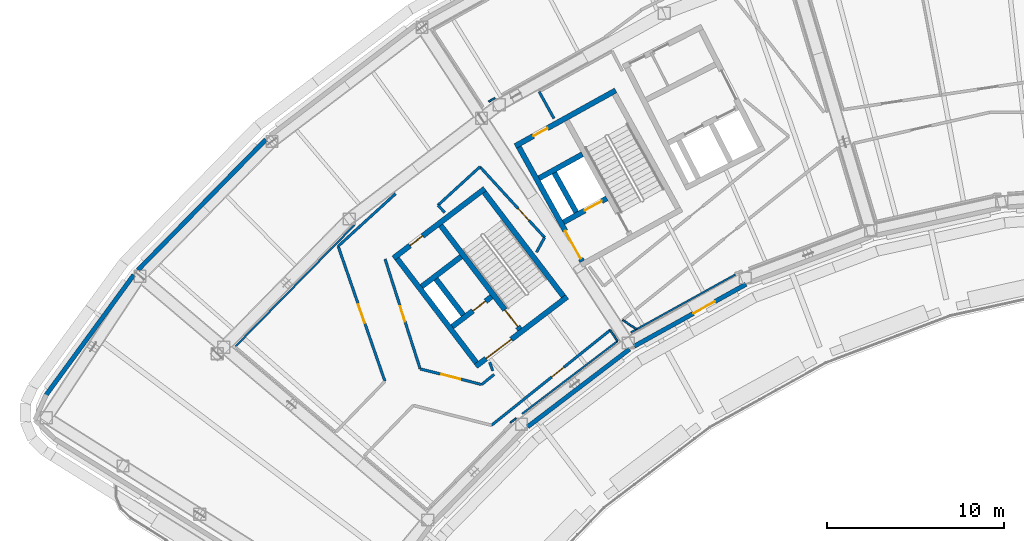
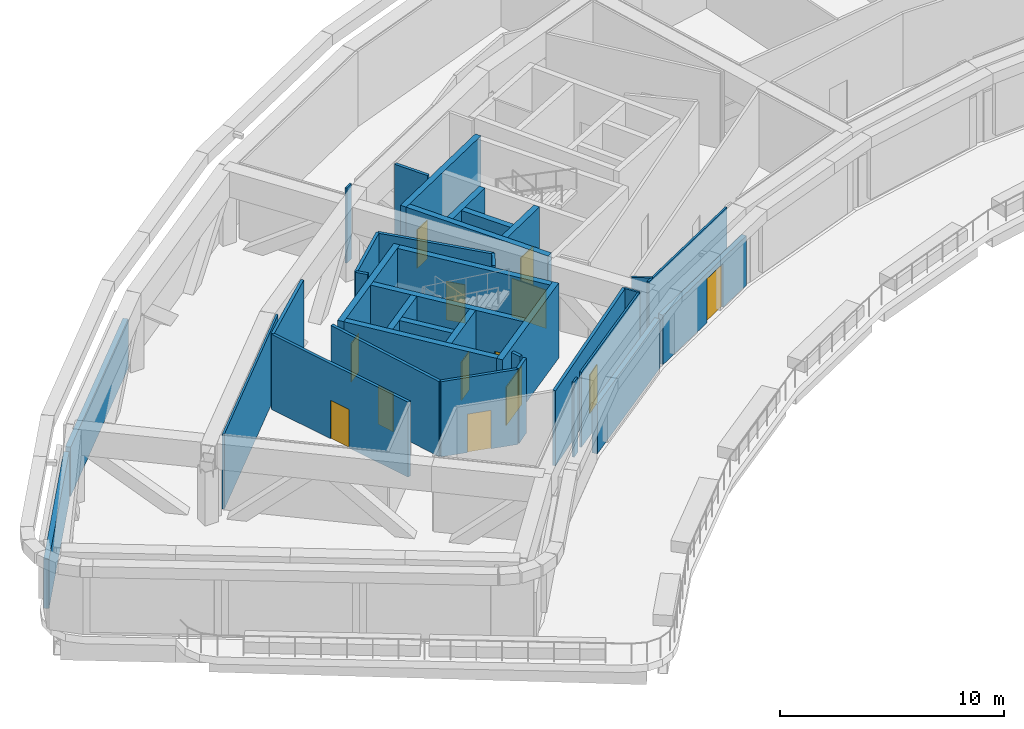
# One storey, part 7 of 26: 36 walls, 13 doors, 13 openings.
"""IFC4 building model written with IfcOpenShell, lengths in metres."""

from ifc_helpers import new_model, si_unit, direction, frame, frame_2d, origin, place, context, subcontext, project, spatial, rectangle, extrude, material, layer, layer_set, type_object, element, fill, save


model = new_model("IFC4")

# Units and contexts
model_context = context("Model", 3, precision=1e-05, world=origin(), true_north=direction((0.0, 1.0)))
body_context = subcontext(model_context, "Body", "Model", "MODEL_VIEW")
ifc_project = project(units=[si_unit("LENGTHUNIT", "METRE"), si_unit("AREAUNIT", "SQUARE_METRE"), si_unit("VOLUMEUNIT", "CUBIC_METRE"), si_unit("PLANEANGLEUNIT", "RADIAN"), si_unit("MASSUNIT", "GRAM", prefix="KILO")], contexts=[model_context])

# Site, building, storey
site_placement = place(None, origin())
site = spatial("IfcSite", under=ifc_project, at=site_placement, CompositionType="ELEMENT")
building_placement = place(site_placement, origin())
building = spatial("IfcBuilding", under=site, at=building_placement, Name="Tuul Gate Civic Tower", CompositionType="ELEMENT")
storey_placement = place(building_placement, frame((0.0, 0.0, 167.60009765625)))
storey = spatial("IfcBuildingStorey", under=building, at=storey_placement, Name="Plant and refuge floor 5", CompositionType="ELEMENT", Elevation=167.60009765625)

# Wall, opening, door
ifc_material_1 = material(Name="Concrete C50/60", Category="concrete")
ifc_layer_1 = layer(ifc_material_1, 0.300048828125)
ifc_layer_set_1 = layer_set([ifc_layer_1], Name="Concrete C50/60")
wall_type_1 = type_object("IfcWallType", Name="Core wall C50/60", PredefinedType="SHEAR", material=ifc_layer_set_1)
wall_1_placement = place(storey_placement, frame((-31.19091796875, -13.669677734375, 0.0), z_axis=(0.0, 0.0, 1.0), x_axis=(-0.795606717756, -0.605813461934, 0.0)))
wall_1 = element("IfcWall", 1, at=wall_1_placement, inside=storey, type_object=wall_type_1, Name="Core wall", PredefinedType="SHEAR", context=body_context, shape_type="SweptSolid", body=[
    extrude(rectangle(XDim=6.5, YDim=0.300048828125, at=frame_2d((3.25, 0.0))), origin(), (0.0, 0.0, 1.0), 4.099853515625),
])
opening_1_placement = place(wall_1_placement, frame((3.97509765625, 0.0, 0.0)))
opening_1 = element("IfcOpeningElement", 2, at=opening_1_placement, cuts=wall_1, Name="Opening LB-W1-LOBBY-1", PredefinedType="OPENING", context=body_context, shape_type="SweptSolid", body=[
    extrude(rectangle(XDim=1.800048828125, YDim=2.10009765625, at=frame_2d((0.89990234375, 1.050048828125))), frame((0.0, 0.16015625, 0.0), z_axis=(0.0, -1.0, 0.0), x_axis=(1.0, 0.0, 0.0)), (0.0, 0.0, 1.0), 0.320068359375),
])
ifc_material_2 = material(Name="Steel", Category="steel")
door_type_1 = type_object("IfcDoorType", Name="Lobby door", OperationType="DOUBLE_DOOR_SINGLE_SWING", PredefinedType="DOOR", material=ifc_material_2)
door_1_placement = place(opening_1_placement, origin())
door_1 = element("IfcDoor", 3, at=door_1_placement, inside=storey, type_object=door_type_1, Name="Lobby door W1-LOBBY", OperationType="DOUBLE_DOOR_SINGLE_SWING", OverallHeight=2.10009765625, OverallWidth=1.800048828125, PredefinedType="DOOR", context=body_context, shape_type="SweptSolid", body=[
    extrude(rectangle(XDim=1.800048828125, YDim=2.10009765625, at=frame_2d((0.89990234375, 1.050048828125))), frame((0.0, 0.02490234375, 0.0), z_axis=(0.0, -1.0, 0.0), x_axis=(1.0, 0.0, 0.0)), (0.0, 0.0, 1.0), 0.050048828125),
])
fill(opening_1, door_1)

wall_2_placement = place(storey_placement, frame((-35.470947265625, -13.66064453125, 0.0), z_axis=(0.0, 0.0, 1.0), x_axis=(-0.795615822227, -0.605801504968, 0.0)))
wall_2 = element("IfcWall", 4, at=wall_2_placement, inside=storey, type_object=wall_type_1, Name="Core wall", PredefinedType="SHEAR", context=body_context, shape_type="SweptSolid", body=[
    extrude(rectangle(XDim=2.800048828125, YDim=0.300048828125, at=frame_2d((1.39990234375, 0.0))), origin(), (0.0, 0.0, 1.0), 4.099853515625),
])
opening_2_placement = place(wall_2_placement, frame((0.425048828125, 0.0, 0.0)))
opening_2 = element("IfcOpeningElement", 5, at=opening_2_placement, cuts=wall_2, Name="Opening FB-W1A1", PredefinedType="OPENING", context=body_context, shape_type="SweptSolid", body=[
    extrude(rectangle(XDim=0.89990234375, YDim=2.10009765625, at=frame_2d((0.449951171875, 1.050048828125))), frame((0.0, 0.16015625, 0.0), z_axis=(0.0, -1.0, 0.0), x_axis=(1.0, 0.0, 0.0)), (0.0, 0.0, 1.0), 0.320068359375),
])
ifc_material_3 = material(Name="Steel", Category="steel")
door_type_2 = type_object("IfcDoorType", Name="Store door", OperationType="NOTDEFINED", PredefinedType="DOOR", material=ifc_material_3)
door_2_placement = place(opening_2_placement, frame((0.89990234375, 0.0, 0.0), z_axis=(0.0, 0.0, 1.0), x_axis=(-1.0, 0.0, 0.0)))
door_2 = element("IfcDoor", 6, at=door_2_placement, inside=storey, type_object=door_type_2, Name="Store door W1A1", OperationType="SINGLE_SWING_RIGHT", OverallHeight=2.10009765625, OverallWidth=0.89990234375, PredefinedType="DOOR", context=body_context, shape_type="SweptSolid", body=[
    extrude(rectangle(XDim=0.89990234375, YDim=2.10009765625, at=frame_2d((0.449951171875, 1.050048828125))), frame((0.0, 0.02490234375, 0.0), z_axis=(0.0, -1.0, 0.0), x_axis=(1.0, 0.0, 0.0)), (0.0, 0.0, 1.0), 0.050048828125),
])
fill(opening_2, door_2)

# Wall
wall_3_placement = place(storey_placement, frame((-37.197509765625, -11.39306640625, 0.0), z_axis=(0.0, 0.0, 1.0), x_axis=(-0.795583820278, -0.605843531707, 0.0)))
element("IfcWall", 7, at=wall_3_placement, inside=storey, type_object=wall_type_1, Name="Core wall", PredefinedType="SHEAR", context=body_context, shape_type="SweptSolid", body=[
    extrude(rectangle(XDim=2.7998046875, YDim=0.300048828125, at=frame_2d((1.39990234375, 0.0))), origin(), (0.0, 0.0, 1.0), 4.099853515625),
])

# Wall, opening, door
wall_4_placement = place(storey_placement, frame((-35.855224609375, -7.543212890625, 0.0), z_axis=(0.0, 0.0, 1.0), x_axis=(-0.79563860527, -0.605771582202, 0.0)))
wall_4 = element("IfcWall", 8, at=wall_4_placement, inside=storey, type_object=wall_type_1, Name="Core wall", PredefinedType="SHEAR", context=body_context, shape_type="SweptSolid", body=[
    extrude(rectangle(XDim=6.5, YDim=0.300048828125, at=frame_2d((3.25, 0.0))), origin(), (0.0, 0.0, 1.0), 4.099853515625),
])
opening_3_placement = place(wall_4_placement, frame((4.425048828125, 0.0, 0.0)))
opening_3 = element("IfcOpeningElement", 9, at=opening_3_placement, cuts=wall_4, Name="Opening PB-D27", PredefinedType="OPENING", context=body_context, shape_type="SweptSolid", body=[
    extrude(rectangle(XDim=0.89990234375, YDim=2.10009765625, at=frame_2d((0.449951171875, 1.050048828125))), frame((0.0, 0.16015625, 0.0), z_axis=(0.0, -1.0, 0.0), x_axis=(1.0, 0.0, 0.0)), (0.0, 0.0, 1.0), 0.320068359375),
])
ifc_material_4 = material(Name="Timber door leaf", Category="wood")
door_type_3 = type_object("IfcDoorType", Name="Door D09", OperationType="NOTDEFINED", PredefinedType="DOOR", material=ifc_material_4)
door_3_placement = place(opening_3_placement, origin())
door_3 = element("IfcDoor", 10, at=door_3_placement, inside=storey, type_object=door_type_3, Name="Door PB-D27", OperationType="SINGLE_SWING_LEFT", OverallHeight=2.10009765625, OverallWidth=0.89990234375, PredefinedType="DOOR", context=body_context, shape_type="SweptSolid", body=[
    extrude(rectangle(XDim=0.89990234375, YDim=2.10009765625, at=frame_2d((0.449951171875, 1.050048828125))), frame((0.0, 0.02490234375, 0.0), z_axis=(0.0, -1.0, 0.0), x_axis=(1.0, 0.0, 0.0)), (0.0, 0.0, 1.0), 0.050048828125),
])
fill(opening_3, door_3)

# Wall
wall_5_placement = place(storey_placement, frame((-31.401123046875, -13.64111328125, 0.0), z_axis=(0.0, 0.0, 1.0), x_axis=(-0.605769822278, 0.795639945213, 0.0)))
element("IfcWall", 11, at=wall_5_placement, inside=storey, type_object=wall_type_1, Name="Core wall", PredefinedType="SHEAR", context=body_context, shape_type="SweptSolid", body=[
    extrude(rectangle(XDim=7.39990234375, YDim=0.300048828125, at=frame_2d((3.699951171875, 0.0))), origin(), (0.0, 0.0, 1.0), 4.099853515625),
])

# Wall, opening, door
wall_6_placement = place(storey_placement, frame((-33.867431640625, -15.51904296875, 0.0), z_axis=(0.0, 0.0, 1.0), x_axis=(-0.605769822278, 0.795639945213, 0.0)))
wall_6 = element("IfcWall", 12, at=wall_6_placement, inside=storey, type_object=wall_type_1, Name="Core wall", PredefinedType="SHEAR", context=body_context, shape_type="SweptSolid", body=[
    extrude(rectangle(XDim=7.39990234375, YDim=0.300048828125, at=frame_2d((3.699951171875, 0.0))), origin(), (0.0, 0.0, 1.0), 4.099853515625),
])
opening_4_placement = place(wall_6_placement, frame((0.199951171875, 0.0, 0.0)))
opening_4 = element("IfcOpeningElement", 13, at=opening_4_placement, cuts=wall_6, Name="Opening SD-ST-1", PredefinedType="OPENING", context=body_context, shape_type="SweptSolid", body=[
    extrude(rectangle(XDim=1.199951171875, YDim=2.10009765625, at=frame_2d((0.60009765625, 1.050048828125))), frame((0.0, 0.16015625, 0.0), z_axis=(0.0, -1.0, 0.0), x_axis=(1.0, 0.0, 0.0)), (0.0, 0.0, 1.0), 0.320068359375),
])
ifc_material_5 = material(Name="Steel", Category="steel")
door_type_4 = type_object("IfcDoorType", Name="Stair door", OperationType="NOTDEFINED", PredefinedType="DOOR", material=ifc_material_5)
door_4_placement = place(opening_4_placement, origin())
door_4 = element("IfcDoor", 14, at=door_4_placement, inside=storey, type_object=door_type_4, Name="Stair door ST-1", OperationType="SINGLE_SWING_LEFT", OverallHeight=2.10009765625, OverallWidth=1.199951171875, PredefinedType="DOOR", context=body_context, shape_type="SweptSolid", body=[
    extrude(rectangle(XDim=1.199951171875, YDim=2.10009765625, at=frame_2d((0.60009765625, 1.050048828125))), frame((0.0, 0.02490234375, 0.0), z_axis=(0.0, -1.0, 0.0), x_axis=(1.0, 0.0, 0.0)), (0.0, 0.0, 1.0), 0.050048828125),
])
fill(opening_4, door_4)

# Walls
wall_7_placement = place(storey_placement, frame((-37.073486328125, -14.6923828125, 0.0), z_axis=(0.0, 0.0, 1.0), x_axis=(-0.605728760074, 0.79567120673, 0.0)))
element("IfcWall", 15, at=wall_7_placement, inside=storey, type_object=wall_type_1, Name="Core wall", PredefinedType="SHEAR", context=body_context, shape_type="SweptSolid", body=[
    extrude(rectangle(XDim=2.550048828125, YDim=0.300048828125, at=frame_2d((1.27490234375, 0.0))), origin(), (0.0, 0.0, 1.0), 4.099853515625),
])
wall_8_placement = place(storey_placement, frame((-36.333984375, -17.397216796875, 0.0), z_axis=(0.0, 0.0, 1.0), x_axis=(-0.605753921168, 0.795652051458, 0.0)))
element("IfcWall", 16, at=wall_8_placement, inside=storey, type_object=wall_type_1, Name="Core wall", PredefinedType="SHEAR", context=body_context, shape_type="SweptSolid", body=[
    extrude(rectangle(XDim=7.400146484375, YDim=0.300048828125, at=frame_2d((3.7001953125, 0.0))), origin(), (0.0, 0.0, 1.0), 4.099853515625),
])

# Wall, opening, door
wall_9_placement = place(storey_placement, frame((-28.94580078125, -8.090087890625, 0.0), z_axis=(0.0, 0.0, 1.0), x_axis=(-0.874629840737, -0.484791338301, 0.0)))
wall_9 = element("IfcWall", 17, at=wall_9_placement, inside=storey, type_object=wall_type_1, Name="Core wall", PredefinedType="SHEAR", context=body_context, shape_type="SweptSolid", body=[
    extrude(rectangle(XDim=2.800048828125, YDim=0.300048828125, at=frame_2d((1.39990234375, 0.0))), origin(), (0.0, 0.0, 1.0), 4.099853515625),
])
opening_5_placement = place(wall_9_placement, frame((0.324951171875, 0.0, 0.0)))
opening_5 = element("IfcOpeningElement", 18, at=opening_5_placement, cuts=wall_9, Name="Opening LD-FF-1", PredefinedType="OPENING", context=body_context, shape_type="SweptSolid", body=[
    extrude(rectangle(XDim=1.10009765625, YDim=2.10009765625, at=frame_2d((0.550048828125, 1.050048828125))), frame((0.0, 0.16015625, 0.0), z_axis=(0.0, -1.0, 0.0), x_axis=(1.0, 0.0, 0.0)), (0.0, 0.0, 1.0), 0.320068359375),
])
ifc_material_6 = material(Name="Stainless steel", Category="steel")
door_type_5 = type_object("IfcDoorType", Name="Landing door", OperationType="DOUBLE_DOOR_SLIDING", PredefinedType="DOOR", material=ifc_material_6)
door_5_placement = place(opening_5_placement, origin())
door_5 = element("IfcDoor", 19, at=door_5_placement, inside=storey, type_object=door_type_5, Name="Fire-fighting lift FF-1 landing door", OperationType="DOUBLE_DOOR_SLIDING", OverallHeight=2.10009765625, OverallWidth=1.10009765625, PredefinedType="DOOR", context=body_context, shape_type="SweptSolid", body=[
    extrude(rectangle(XDim=1.10009765625, YDim=2.10009765625, at=frame_2d((0.550048828125, 1.050048828125))), frame((0.0, 0.02490234375, 0.0), z_axis=(0.0, -1.0, 0.0), x_axis=(1.0, 0.0, 0.0)), (0.0, 0.0, 1.0), 0.050048828125),
])
fill(opening_5, door_5)

# Wall
wall_10_placement = place(storey_placement, frame((-30.327392578125, -5.59716796875, 0.0), z_axis=(0.0, 0.0, 1.0), x_axis=(-0.874629840737, -0.484791338301, 0.0)))
element("IfcWall", 20, at=wall_10_placement, inside=storey, type_object=wall_type_1, Name="Core wall", PredefinedType="SHEAR", context=body_context, shape_type="SweptSolid", body=[
    extrude(rectangle(XDim=2.800048828125, YDim=0.300048828125, at=frame_2d((1.39990234375, 0.0))), origin(), (0.0, 0.0, 1.0), 4.099853515625),
])

# Wall, opening, door
wall_11_placement = place(storey_placement, frame((-28.4443359375, -1.98095703125, 0.0), z_axis=(0.0, 0.0, 1.0), x_axis=(-0.874629909008, -0.484791215132, 0.0)))
wall_11 = element("IfcWall", 21, at=wall_11_placement, inside=storey, type_object=wall_type_1, Name="Core wall", PredefinedType="SHEAR", context=body_context, shape_type="SweptSolid", body=[
    extrude(rectangle(XDim=6.5, YDim=0.300048828125, at=frame_2d((3.25, 0.0))), origin(), (0.0, 0.0, 1.0), 4.099853515625),
])
opening_6_placement = place(wall_11_placement, frame((4.425048828125, 0.0, 0.0)))
opening_6 = element("IfcOpeningElement", 22, at=opening_6_placement, cuts=wall_11, Name="Opening PB-D28", PredefinedType="OPENING", context=body_context, shape_type="SweptSolid", body=[
    extrude(rectangle(XDim=0.89990234375, YDim=2.10009765625, at=frame_2d((0.449951171875, 1.050048828125))), frame((0.0, 0.16015625, 0.0), z_axis=(0.0, -1.0, 0.0), x_axis=(1.0, 0.0, 0.0)), (0.0, 0.0, 1.0), 0.320068359375),
])
door_6_placement = place(opening_6_placement, origin())
door_6 = element("IfcDoor", 23, at=door_6_placement, inside=storey, type_object=door_type_3, Name="Door PB-D28", OperationType="SINGLE_SWING_LEFT", OverallHeight=2.10009765625, OverallWidth=0.89990234375, PredefinedType="DOOR", context=body_context, shape_type="SweptSolid", body=[
    extrude(rectangle(XDim=0.89990234375, YDim=2.10009765625, at=frame_2d((0.449951171875, 1.050048828125))), frame((0.0, 0.02490234375, 0.0), z_axis=(0.0, -1.0, 0.0), x_axis=(1.0, 0.0, 0.0)), (0.0, 0.0, 1.0), 0.050048828125),
])
fill(opening_6, door_6)

# Wall
wall_12_placement = place(storey_placement, frame((-30.680419921875, -8.8798828125, 0.0), z_axis=(0.0, 0.0, 1.0), x_axis=(-0.484724115216, 0.874667097888, 0.0)))
element("IfcWall", 24, at=wall_12_placement, inside=storey, type_object=wall_type_1, Name="Core wall", PredefinedType="SHEAR", context=body_context, shape_type="SweptSolid", body=[
    extrude(rectangle(XDim=2.550048828125, YDim=0.300048828125, at=frame_2d((1.27490234375, 0.0))), origin(), (0.0, 0.0, 1.0), 4.099853515625),
])

# Wall, opening, door
wall_13_placement = place(storey_placement, frame((-30.33837890625, -11.6630859375, 0.0), z_axis=(0.0, 0.0, 1.0), x_axis=(-0.484751894226, 0.874651702704, 0.0)))
wall_13 = element("IfcWall", 25, at=wall_13_placement, inside=storey, type_object=wall_type_1, Name="Core wall", PredefinedType="SHEAR", context=body_context, shape_type="SweptSolid", body=[
    extrude(rectangle(XDim=7.39990234375, YDim=0.300048828125, at=frame_2d((3.699951171875, 0.0))), origin(), (0.0, 0.0, 1.0), 4.099853515625),
])
opening_7_placement = place(wall_13_placement, frame((0.175048828125, 0.0, 0.0)))
opening_7 = element("IfcOpeningElement", 26, at=opening_7_placement, cuts=wall_13, Name="Opening LB-W2-FLOBBY-1", PredefinedType="OPENING", context=body_context, shape_type="SweptSolid", body=[
    extrude(rectangle(XDim=1.800048828125, YDim=2.10009765625, at=frame_2d((0.89990234375, 1.050048828125))), frame((0.0, 0.16015625, 0.0), z_axis=(0.0, -1.0, 0.0), x_axis=(1.0, 0.0, 0.0)), (0.0, 0.0, 1.0), 0.320068359375),
])
door_7_placement = place(opening_7_placement, frame((1.800048828125, 0.0, 0.0), z_axis=(0.0, 0.0, 1.0), x_axis=(-1.0, 0.0, 0.0)))
door_7 = element("IfcDoor", 27, at=door_7_placement, inside=storey, type_object=door_type_1, Name="Lobby door W2-FLOBBY", OperationType="DOUBLE_DOOR_SINGLE_SWING", OverallHeight=2.10009765625, OverallWidth=1.800048828125, PredefinedType="DOOR", context=body_context, shape_type="SweptSolid", body=[
    extrude(rectangle(XDim=1.800048828125, YDim=2.10009765625, at=frame_2d((0.900146484375, 1.050048828125))), frame((0.0, 0.02490234375, 0.0), z_axis=(0.0, -1.0, 0.0), x_axis=(1.0, 0.0, 0.0)), (0.0, 0.0, 1.0), 0.050048828125),
])
fill(opening_7, door_7)

# Walls
ifc_material_7 = material(Name="Gypsum board partition")
ifc_layer_2 = layer(ifc_material_7, 0.14990234375)
ifc_layer_set_2 = layer_set([ifc_layer_2], Name="Gypsum board partition")
wall_type_2 = type_object("IfcWallType", Name="Corridor wall P150", PredefinedType="PARTITIONING", material=ifc_layer_set_2)
wall_14_placement = place(storey_placement, frame((-32.92578125, -11.143310546875, 0.0), z_axis=(0.0, 0.0, 1.0), x_axis=(0.479553086146, 0.877512870315, 0.0)))
element("IfcWall", 28, at=wall_14_placement, inside=storey, type_object=wall_type_2, Name="p014", PredefinedType="PARTITIONING", context=body_context, shape_type="SweptSolid", body=[
    extrude(rectangle(XDim=0.951416015625, YDim=0.14990234375, at=frame_2d((0.4755859375, 0.0))), origin(), (0.0, 0.0, 1.0), 4.099853515625),
])
wall_15_placement = place(storey_placement, frame((-38.504638671875, -8.481201171875, 0.0), z_axis=(0.0, 0.0, 1.0), x_axis=(0.67485722299, -0.737948323786, 0.0)))
element("IfcWall", 29, at=wall_15_placement, inside=storey, type_object=wall_type_2, Name="p015", PredefinedType="PARTITIONING", context=body_context, shape_type="SweptSolid", body=[
    extrude(rectangle(XDim=0.56103515625, YDim=0.14990234375, at=frame_2d((0.280517578125, 0.0))), origin(), (0.0, 0.0, 1.0), 4.099853515625),
])
wall_16_placement = place(storey_placement, frame((-38.504638671875, -8.481201171875, 0.0), z_axis=(0.0, 0.0, 1.0), x_axis=(0.737909047977, 0.674900168109, 0.0)))
element("IfcWall", 30, at=wall_16_placement, inside=storey, type_object=wall_type_2, Name="p016", PredefinedType="PARTITIONING", context=body_context, shape_type="SweptSolid", body=[
    extrude(rectangle(XDim=3.219970703125, YDim=0.14990234375, at=frame_2d((1.60986328125, 0.0))), origin(), (0.0, 0.0, 1.0), 4.099853515625),
])

# Wall, opening, door
wall_17_placement = place(storey_placement, frame((-36.128662109375, -6.30810546875, 0.0), z_axis=(0.0, 0.0, 1.0), x_axis=(0.674951392563, -0.737862194232, 0.0)))
wall_17 = element("IfcWall", 31, at=wall_17_placement, inside=storey, type_object=wall_type_2, Name="p017", PredefinedType="PARTITIONING", context=body_context, shape_type="SweptSolid", body=[
    extrude(rectangle(XDim=5.42138671875, YDim=0.14990234375, at=frame_2d((2.710693359375, 0.0))), origin(), (0.0, 0.0, 1.0), 4.099853515625),
])
opening_8_placement = place(wall_17_placement, frame((3.2109375, 0.0, 0.0)))
opening_8 = element("IfcOpeningElement", 32, at=opening_8_placement, cuts=wall_17, Name="Opening PB-D041", PredefinedType="OPENING", context=body_context, shape_type="SweptSolid", body=[
    extrude(rectangle(XDim=0.89990234375, YDim=2.10009765625, at=frame_2d((0.449951171875, 1.050048828125))), frame((0.0, 0.0849609375, 0.0), z_axis=(0.0, -1.0, 0.0), x_axis=(1.0, 0.0, 0.0)), (0.0, 0.0, 1.0), 0.169921875),
])
door_8_placement = place(opening_8_placement, origin())
door_8 = element("IfcDoor", 33, at=door_8_placement, inside=storey, type_object=door_type_3, Name="Door PB-D04", OperationType="SINGLE_SWING_RIGHT", OverallHeight=2.10009765625, OverallWidth=0.89990234375, PredefinedType="DOOR", context=body_context, shape_type="SweptSolid", body=[
    extrude(rectangle(XDim=0.89990234375, YDim=2.10009765625, at=frame_2d((0.449951171875, 1.050048828125))), frame((0.0, 0.02490234375, 0.0), z_axis=(0.0, -1.0, 0.0), x_axis=(1.0, 0.0, 0.0)), (0.0, 0.0, 1.0), 0.050048828125),
])
fill(opening_8, door_8)

# Walls
wall_18_placement = place(storey_placement, frame((-35.5703125, -17.3818359375, 0.0), z_axis=(0.0, 0.0, 1.0), x_axis=(0.324620711536, -0.945844275577, 0.0)))
element("IfcWall", 34, at=wall_18_placement, inside=storey, type_object=wall_type_2, Name="p018", PredefinedType="PARTITIONING", context=body_context, shape_type="SweptSolid", body=[
    extrude(rectangle(XDim=0.50537109375, YDim=0.14990234375, at=frame_2d((0.252685546875, 0.0))), origin(), (0.0, 0.0, 1.0), 4.099853515625),
])
wall_19_placement = place(storey_placement, frame((-36.02197265625, -18.630126953125, 0.0), z_axis=(0.0, 0.0, 1.0), x_axis=(0.778370197609, 0.627805571395, 0.0)))
element("IfcWall", 35, at=wall_19_placement, inside=storey, type_object=wall_type_2, Name="p019", PredefinedType="PARTITIONING", context=body_context, shape_type="SweptSolid", body=[
    extrude(rectangle(XDim=0.898193359375, YDim=0.14990234375, at=frame_2d((0.44921875, 0.0))), origin(), (0.0, 0.0, 1.0), 4.099853515625),
])

# Wall, opening, door
wall_20_placement = place(storey_placement, frame((-39.503662109375, -17.752685546875, 0.0), z_axis=(0.0, 0.0, 1.0), x_axis=(0.96912566693, -0.246567316768, 0.0)))
wall_20 = element("IfcWall", 36, at=wall_20_placement, inside=storey, type_object=wall_type_2, Name="p021", PredefinedType="PARTITIONING", context=body_context, shape_type="SweptSolid", body=[
    extrude(rectangle(XDim=3.574462890625, YDim=0.14990234375, at=frame_2d((1.787109375, 0.0))), origin(), (0.0, 0.0, 1.0), 4.099853515625),
])
opening_9_placement = place(wall_20_placement, frame((1.2373046875, 0.0, 0.0)))
opening_9 = element("IfcOpeningElement", 37, at=opening_9_placement, cuts=wall_20, Name="Opening PB-D261", PredefinedType="OPENING", context=body_context, shape_type="SweptSolid", body=[
    extrude(rectangle(XDim=1.10009765625, YDim=2.10009765625, at=frame_2d((0.550048828125, 1.050048828125))), frame((0.0, 0.0849609375, 0.0), z_axis=(0.0, -1.0, 0.0), x_axis=(1.0, 0.0, 0.0)), (0.0, 0.0, 1.0), 0.169921875),
])
ifc_material_8 = material(Name="Timber door leaf", Category="wood")
door_type_6 = type_object("IfcDoorType", Name="Door D11", OperationType="NOTDEFINED", PredefinedType="DOOR", material=ifc_material_8)
door_9_placement = place(opening_9_placement, origin())
door_9 = element("IfcDoor", 38, at=door_9_placement, inside=storey, type_object=door_type_6, Name="Door PB-D26", OperationType="SINGLE_SWING_RIGHT", OverallHeight=2.10009765625, OverallWidth=1.10009765625, PredefinedType="DOOR", context=body_context, shape_type="SweptSolid", body=[
    extrude(rectangle(XDim=1.10009765625, YDim=2.10009765625, at=frame_2d((0.550048828125, 1.050048828125))), frame((0.0, 0.02490234375, 0.0), z_axis=(0.0, -1.0, 0.0), x_axis=(1.0, 0.0, 0.0)), (0.0, 0.0, 1.0), 0.050048828125),
])
fill(opening_9, door_9)

wall_21_placement = place(storey_placement, frame((-41.50390625, -11.52978515625, 0.0), z_axis=(0.0, 0.0, 1.0), x_axis=(0.304633054705, -0.952469790587, 0.0)))
wall_21 = element("IfcWall", 39, at=wall_21_placement, inside=storey, type_object=wall_type_2, Name="p022", PredefinedType="PARTITIONING", context=body_context, shape_type="SweptSolid", body=[
    extrude(rectangle(XDim=6.51953125, YDim=0.14990234375, at=frame_2d((3.259765625, 0.0))), origin(), (0.0, 0.0, 1.0), 4.099853515625),
])
opening_10_placement = place(wall_21_placement, frame((2.809814453125, 0.0, 0.0)))
opening_10 = element("IfcOpeningElement", 40, at=opening_10_placement, cuts=wall_21, Name="Opening PB-D05", PredefinedType="OPENING", context=body_context, shape_type="SweptSolid", body=[
    extrude(rectangle(XDim=0.89990234375, YDim=2.10009765625, at=frame_2d((0.449951171875, 1.050048828125))), frame((0.0, 0.0849609375, 0.0), z_axis=(0.0, -1.0, 0.0), x_axis=(1.0, 0.0, 0.0)), (0.0, 0.0, 1.0), 0.169921875),
])
door_10_placement = place(opening_10_placement, origin())
door_10 = element("IfcDoor", 41, at=door_10_placement, inside=storey, type_object=door_type_3, Name="Door PB-D05", OperationType="SINGLE_SWING_RIGHT", OverallHeight=2.10009765625, OverallWidth=0.89990234375, PredefinedType="DOOR", context=body_context, shape_type="SweptSolid", body=[
    extrude(rectangle(XDim=0.89990234375, YDim=2.10009765625, at=frame_2d((0.449951171875, 1.050048828125))), frame((0.0, 0.02490234375, 0.0), z_axis=(0.0, -1.0, 0.0), x_axis=(1.0, 0.0, 0.0)), (0.0, 0.0, 1.0), 0.050048828125),
])
fill(opening_10, door_10)

# Wall
wall_22_placement = place(storey_placement, frame((-32.775390625, -2.056884765625, 0.0), z_axis=(0.0, 0.0, 1.0), x_axis=(0.484793390453, -0.874628703264, 0.0)))
element("IfcWall", 42, at=wall_22_placement, inside=storey, type_object=wall_type_2, Name="p050", PredefinedType="PARTITIONING", context=body_context, shape_type="SweptSolid", body=[
    extrude(rectangle(XDim=1.73291015625, YDim=0.14990234375, at=frame_2d((0.866455078125, 0.0))), origin(), (0.0, 0.0, 1.0), 4.099853515625),
])

# Wall, opening, door
wall_23_placement = place(storey_placement, frame((-35.47265625, -20.944580078125, 0.0), z_axis=(0.0, 0.0, 1.0), x_axis=(0.780082914008, 0.625676152073, 0.0)))
wall_23 = element("IfcWall", 43, at=wall_23_placement, inside=storey, type_object=wall_type_2, Name="p051", PredefinedType="PARTITIONING", context=body_context, shape_type="SweptSolid", body=[
    extrude(rectangle(XDim=8.614013671875, YDim=0.14990234375, at=frame_2d((4.30712890625, 0.0))), origin(), (0.0, 0.0, 1.0), 4.099853515625),
])
opening_11_placement = place(wall_23_placement, frame((4.35693359375, 0.0, 0.0)))
opening_11 = element("IfcOpeningElement", 44, at=opening_11_placement, cuts=wall_23, Name="Opening PB-D23", PredefinedType="OPENING", context=body_context, shape_type="SweptSolid", body=[
    extrude(rectangle(XDim=0.89990234375, YDim=2.10009765625, at=frame_2d((0.449951171875, 1.050048828125))), frame((0.0, 0.0849609375, 0.0), z_axis=(0.0, -1.0, 0.0), x_axis=(1.0, 0.0, 0.0)), (0.0, 0.0, 1.0), 0.169921875),
])
door_11_placement = place(opening_11_placement, origin())
door_11 = element("IfcDoor", 45, at=door_11_placement, inside=storey, type_object=door_type_3, Name="Door PB-D23", OperationType="SINGLE_SWING_RIGHT", OverallHeight=2.10009765625, OverallWidth=0.89990234375, PredefinedType="DOOR", context=body_context, shape_type="SweptSolid", body=[
    extrude(rectangle(XDim=0.89990234375, YDim=2.10009765625, at=frame_2d((0.449951171875, 1.050048828125))), frame((0.0, 0.02490234375, 0.0), z_axis=(0.0, -1.0, 0.0), x_axis=(1.0, 0.0, 0.0)), (0.0, 0.0, 1.0), 0.050048828125),
])
fill(opening_11, door_11)

wall_24_placement = place(storey_placement, frame((-44.15771484375, -10.806884765625, 0.0), z_axis=(0.0, 0.0, 1.0), x_axis=(0.327189409104, -0.94495877718, 0.0)))
wall_24 = element("IfcWall", 46, at=wall_24_placement, inside=storey, type_object=wall_type_2, Name="p056", PredefinedType="PARTITIONING", context=body_context, shape_type="SweptSolid", body=[
    extrude(rectangle(XDim=8.08251953125, YDim=0.14990234375, at=frame_2d((4.041259765625, 0.0))), origin(), (0.0, 0.0, 1.0), 4.099853515625),
])
opening_12_placement = place(wall_24_placement, frame((3.4912109375, 0.0, 0.0)))
opening_12 = element("IfcOpeningElement", 47, at=opening_12_placement, cuts=wall_24, Name="Opening PB-D22", PredefinedType="OPENING", context=body_context, shape_type="SweptSolid", body=[
    extrude(rectangle(XDim=1.10009765625, YDim=2.10009765625, at=frame_2d((0.550048828125, 1.050048828125))), frame((0.0, 0.0849609375, 0.0), z_axis=(0.0, -1.0, 0.0), x_axis=(1.0, 0.0, 0.0)), (0.0, 0.0, 1.0), 0.169921875),
])
door_12_placement = place(opening_12_placement, frame((1.10009765625, 0.0, 0.0), z_axis=(0.0, 0.0, 1.0), x_axis=(-1.0, 0.0, 0.0)))
door_12 = element("IfcDoor", 48, at=door_12_placement, inside=storey, type_object=door_type_6, Name="Door PB-D22", OperationType="SINGLE_SWING_LEFT", OverallHeight=2.10009765625, OverallWidth=1.10009765625, PredefinedType="DOOR", context=body_context, shape_type="SweptSolid", body=[
    extrude(rectangle(XDim=1.10009765625, YDim=2.10009765625, at=frame_2d((0.550048828125, 1.050048828125))), frame((0.0, 0.02490234375, 0.0), z_axis=(0.0, -1.0, 0.0), x_axis=(1.0, 0.0, 0.0)), (0.0, 0.0, 1.0), 0.050048828125),
])
fill(opening_12, door_12)

# Walls
wall_25_placement = place(storey_placement, frame((-44.157470703125, -10.805908203125, 0.0), z_axis=(0.0, 0.0, 1.0), x_axis=(0.737879911751, 0.674932023121, 0.0)))
element("IfcWall", 49, at=wall_25_placement, inside=storey, type_object=wall_type_2, Name="p059", PredefinedType="PARTITIONING", context=body_context, shape_type="SweptSolid", body=[
    extrude(rectangle(XDim=4.409912109375, YDim=0.14990234375, at=frame_2d((2.205078125, 0.0))), origin(), (0.0, 0.0, 1.0), 4.099853515625),
])
ifc_material_9 = material(Name="Precast concrete C40/50", Category="concrete")
ifc_layer_3 = layer(ifc_material_9, 0.25)
ifc_layer_set_3 = layer_set([ifc_layer_3], Name="Precast concrete C40/50")
wall_type_3 = type_object("IfcWallType", Name="External wall 2700 HIGH", PredefinedType="STANDARD", material=ifc_layer_set_3)
wall_26_placement = place(storey_placement, frame((-48.258056640625, -4.7685546875, 0.0), z_axis=(0.0, 0.0, 1.0), x_axis=(-0.700045198442, -0.714098536715, 0.0)))
element("IfcWall", 50, at=wall_26_placement, inside=storey, type_object=wall_type_3, Name="External wall", PredefinedType="STANDARD", context=body_context, shape_type="SweptSolid", body=[
    extrude(rectangle(XDim=10.336669921875, YDim=0.25, at=frame_2d((5.16845703125, 0.0))), origin(), (0.0, 0.0, 1.0), 2.699951171875),
])
wall_27_placement = place(storey_placement, frame((-55.73193359375, -12.42822265625, 0.0), z_axis=(0.0, 0.0, 1.0), x_axis=(-0.589761454052, -0.807577505453, 0.0)))
element("IfcWall", 51, at=wall_27_placement, inside=storey, type_object=wall_type_3, Name="External wall", PredefinedType="STANDARD", context=body_context, shape_type="SweptSolid", body=[
    extrude(rectangle(XDim=8.422119140625, YDim=0.25, at=frame_2d((4.2109375, 0.0))), origin(), (0.0, 0.0, 1.0), 2.699951171875),
])
wall_28_placement = place(storey_placement, frame((-33.427001953125, -21.030029296875, 0.0), z_axis=(0.0, 0.0, 1.0), x_axis=(0.795569309585, 0.605862586439, 0.0)))
element("IfcWall", 52, at=wall_28_placement, inside=storey, type_object=wall_type_3, Name="External wall", PredefinedType="STANDARD", context=body_context, shape_type="SweptSolid", body=[
    extrude(rectangle(XDim=7.249267578125, YDim=0.25, at=frame_2d((3.62451171875, 0.0))), origin(), (0.0, 0.0, 1.0), 2.699951171875),
])

# Wall, opening, door
wall_29_placement = place(storey_placement, frame((-27.386962890625, -16.466064453125, 0.0), z_axis=(0.0, 0.0, 1.0), x_axis=(0.874616834791, 0.484814802064, 0.0)))
wall_29 = element("IfcWall", 53, at=wall_29_placement, inside=storey, type_object=wall_type_3, Name="External wall", PredefinedType="STANDARD", context=body_context, shape_type="SweptSolid", body=[
    extrude(rectangle(XDim=7.23583984375, YDim=0.25, at=frame_2d((3.617919921875, 0.0))), origin(), (0.0, 0.0, 1.0), 2.699951171875),
])
opening_13_placement = place(wall_29_placement, frame((3.825927734375, 0.0, 0.0)))
opening_13 = element("IfcOpeningElement", 54, at=opening_13_placement, cuts=wall_29, Name="Opening TD", PredefinedType="OPENING", context=body_context, shape_type="SweptSolid", body=[
    extrude(rectangle(XDim=1.39990234375, YDim=2.39990234375, at=frame_2d((0.699951171875, 1.199951171875))), frame((0.0, 0.135009765625, 0.0), z_axis=(0.0, -1.0, 0.0), x_axis=(1.0, 0.0, 0.0)), (0.0, 0.0, 1.0), 0.27001953125),
])
ifc_material_10 = material(Name="Glazed aluminium", Category="aluminium")
door_type_7 = type_object("IfcDoorType", Name="Terrace door", OperationType="DOUBLE_DOOR_SINGLE_SWING", PredefinedType="DOOR", material=ifc_material_10)
door_13_placement = place(opening_13_placement, frame((1.39990234375, 0.0, 0.0), z_axis=(0.0, 0.0, 1.0), x_axis=(-1.0, 0.0, 0.0)))
door_13 = element("IfcDoor", 55, at=door_13_placement, inside=storey, type_object=door_type_7, Name="Terrace door", OperationType="DOUBLE_DOOR_SINGLE_SWING", OverallHeight=2.39990234375, OverallWidth=1.39990234375, PredefinedType="DOOR", context=body_context, shape_type="SweptSolid", body=[
    extrude(rectangle(XDim=1.39990234375, YDim=2.39990234375, at=frame_2d((0.699951171875, 1.199951171875))), frame((0.0, 0.02490234375, 0.0), z_axis=(0.0, -1.0, 0.0), x_axis=(1.0, 0.0, 0.0)), (0.0, 0.0, 1.0), 0.050048828125),
])
fill(opening_13, door_13)

# Walls
ifc_material_11 = material(Name="Gypsum board partition")
ifc_layer_4 = layer(ifc_material_11, 0.10009765625)
ifc_layer_set_4 = layer_set([ifc_layer_4], Name="Gypsum board partition")
wall_type_4 = type_object("IfcWallType", Name="Partition P100", PredefinedType="PARTITIONING", material=ifc_layer_set_4)
wall_30_placement = place(storey_placement, frame((-21.655517578125, -12.403076171875, 0.0), z_axis=(0.0, 0.0, 1.0), x_axis=(-0.874664372256, -0.484729033489, 0.0)))
element("IfcWall", 56, at=wall_30_placement, inside=storey, type_object=wall_type_4, Name="p118", PredefinedType="PARTITIONING", context=body_context, shape_type="SweptSolid", body=[
    extrude(rectangle(XDim=6.783935546875, YDim=0.10009765625, at=frame_2d((3.39208984375, 0.0))), origin(), (0.0, 0.0, 1.0), 4.099853515625),
])
wall_31_placement = place(storey_placement, frame((-27.2529296875, -15.50537109375, 0.0), z_axis=(0.0, 0.0, 1.0), x_axis=(-0.838649585538, 0.544671343726, 0.0)))
element("IfcWall", 57, at=wall_31_placement, inside=storey, type_object=wall_type_4, Name="p119", PredefinedType="PARTITIONING", context=body_context, shape_type="SweptSolid", body=[
    extrude(rectangle(XDim=0.947509765625, YDim=0.10009765625, at=frame_2d((0.4736328125, 0.0))), origin(), (0.0, 0.0, 1.0), 4.099853515625),
])
wall_32_placement = place(storey_placement, frame((-35.274658203125, -2.4130859375, 0.0), z_axis=(0.0, 0.0, 1.0), x_axis=(-0.874543306316, -0.484947425375, 0.0)))
element("IfcWall", 58, at=wall_32_placement, inside=storey, type_object=wall_type_4, Name="p121", PredefinedType="PARTITIONING", context=body_context, shape_type="SweptSolid", body=[
    extrude(rectangle(XDim=0.417236328125, YDim=0.10009765625, at=frame_2d((0.20849609375, 0.0))), origin(), (0.0, 0.0, 1.0), 4.099853515625),
])
wall_33_placement = place(storey_placement, frame((-49.98046875, -16.48876953125, 0.0), z_axis=(0.0, 0.0, 1.0), x_axis=(0.700000075453, 0.714142768896, 0.0)))
element("IfcWall", 59, at=wall_33_placement, inside=storey, type_object=wall_type_4, Name="p128", PredefinedType="PARTITIONING", context=body_context, shape_type="SweptSolid", body=[
    extrude(rectangle(XDim=9.64990234375, YDim=0.10009765625, at=frame_2d((4.824951171875, 0.0))), origin(), (0.0, 0.0, 1.0), 4.099853515625),
])
wall_34_placement = place(storey_placement, frame((-28.7529296875, -15.554931640625, 0.0), z_axis=(0.0, 0.0, 1.0), x_axis=(0.546644669801, -0.837364678607, 0.0)))
element("IfcWall", 60, at=wall_34_placement, inside=storey, type_object=wall_type_4, Name="p129", PredefinedType="PARTITIONING", context=body_context, shape_type="SweptSolid", body=[
    extrude(rectangle(XDim=0.750732421875, YDim=0.10009765625, at=frame_2d((0.37548828125, 0.0))), origin(), (0.0, 0.0, 1.0), 4.099853515625),
])
wall_35_placement = place(storey_placement, frame((-28.342529296875, -16.18359375, 0.0), z_axis=(0.0, 0.0, 1.0), x_axis=(-0.795625818976, -0.605788375738, 0.0)))
element("IfcWall", 61, at=wall_35_placement, inside=storey, type_object=wall_type_4, Name="p130", PredefinedType="PARTITIONING", context=body_context, shape_type="SweptSolid", body=[
    extrude(rectangle(XDim=6.783935546875, YDim=0.10009765625, at=frame_2d((3.39208984375, 0.0))), origin(), (0.0, 0.0, 1.0), 4.099853515625),
])
wall_36_placement = place(storey_placement, frame((-34.07568359375, -20.548583984375, 0.0), z_axis=(0.0, 0.0, 1.0), x_axis=(-0.795485425099, -0.605972720884, 0.0)))
element("IfcWall", 62, at=wall_36_placement, inside=storey, type_object=wall_type_4, Name="p131", PredefinedType="PARTITIONING", context=body_context, shape_type="SweptSolid", body=[
    extrude(rectangle(XDim=0.41748046875, YDim=0.10009765625, at=frame_2d((0.208740234375, 0.0))), origin(), (0.0, 0.0, 1.0), 4.099853515625),
])

save(model, "model.ifc")
